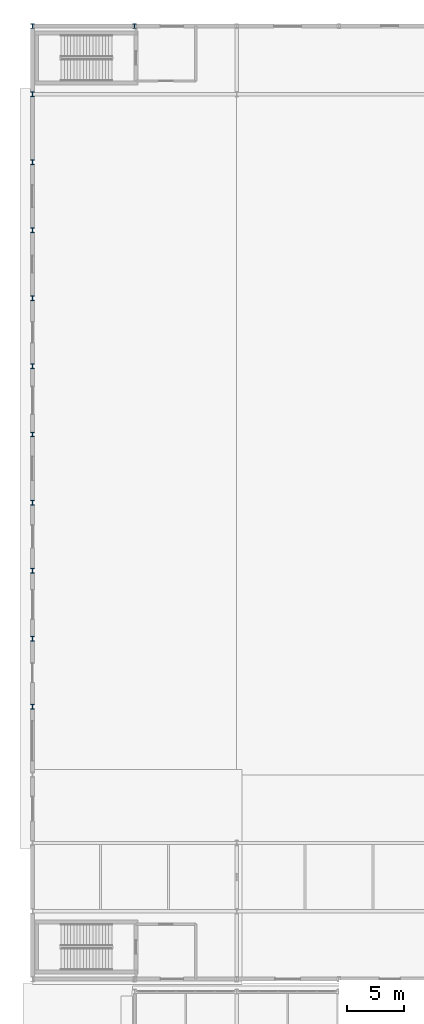
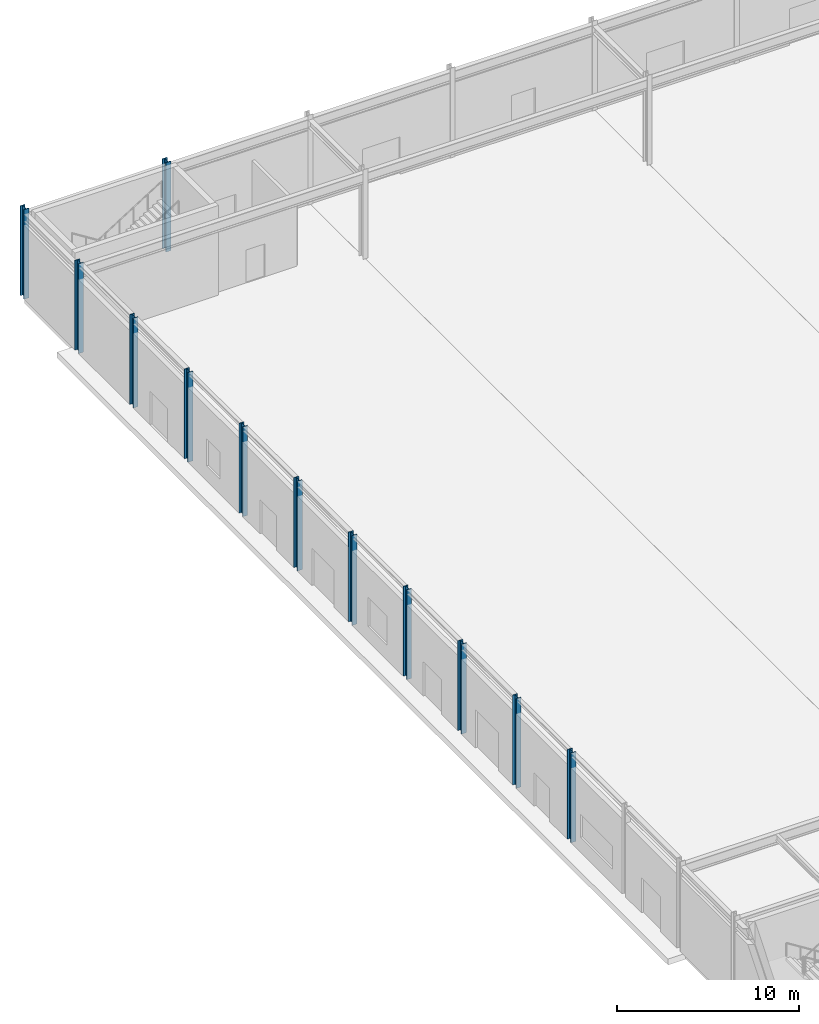
# One storey, part 9 of 146: 12 columns.
"""IFC4 building model written with IfcOpenShell, lengths in metres."""

from ifc_helpers import new_model, si_unit, direction, frame, origin, origin_2d, place, context, subcontext, project, spatial, i_section, extrude, material, material_profile, profile_set, type_object, element, save


model = new_model("IFC4")

# Units and contexts
model_context = context("Model", 3, precision=1e-05, world=origin(), true_north=direction((0.0, 1.0)))
body_context = subcontext(model_context, "Body", "Model", "MODEL_VIEW")
ifc_project = project(units=[si_unit("LENGTHUNIT", "METRE"), si_unit("AREAUNIT", "SQUARE_METRE"), si_unit("VOLUMEUNIT", "CUBIC_METRE"), si_unit("PLANEANGLEUNIT", "RADIAN"), si_unit("MASSUNIT", "GRAM", prefix="KILO")], contexts=[model_context])

# Site, building, storey
site_placement = place(None, origin())
site = spatial("IfcSite", under=ifc_project, at=site_placement, CompositionType="ELEMENT")
building_placement = place(site_placement, origin())
building = spatial("IfcBuilding", under=site, at=building_placement, Name="Kaldris Quays Convention Centre", CompositionType="ELEMENT")
storey_placement = place(building_placement, origin())
storey = spatial("IfcBuildingStorey", under=building, at=storey_placement, Name="L00", CompositionType="ELEMENT", Elevation=0.0)

# Columns
ifc_material = material(Name="Steel S460ML", Category="steel")
ifc_material_profile = material_profile(ifc_material, i_section(OverallWidth=0.306884765625, OverallDepth=0.431884765625, WebThickness=0.02099609375, FlangeThickness=0.0400390625, FilletRadius=0.027099609375, at=origin_2d()), Name="HEM 400")
ifc_profile_set = profile_set([ifc_material_profile], Name="Steel S460ML")
column_type = type_object("IfcColumnType", Name="STRUCTURAL COLUMN CL01", PredefinedType="COLUMN", material=ifc_profile_set)
for number, where, z_axis, x_axis, name in (
    (1, (20.0, 80.0, 0.0), (0.0, 0.0, 1.0), (1.0, 0.0, 0.0), "L00 V1 Column CL01 (20.00, 80.00)"),
    (2, (20.0, 86.0, 0.0), (0.0, 0.0, 1.0), (1.0, 0.0, 0.0), "L00 V1 Column CL01 (20.00, 86.00)"),
    (3, (20.0, 92.0, 0.0), (0.0, 0.0, 1.0), (1.0, 0.0, 0.0), "L00 V1 Column CL01 (20.00, 92.00)"),
    (4, (20.0, 98.0, 0.0), (0.0, 0.0, 1.0), (1.0, 0.0, 0.0), "L00 V1 Column CL01 (20.00, 98.00)"),
    (5, (20.0, 104.0, 0.0), (0.0, 0.0, 1.0), (1.0, 0.0, 0.0), "L00 V1 Column CL01 (20.00, 104.00)"),
    (6, (20.0, 110.0, 0.0), (0.0, 0.0, 1.0), (1.0, 0.0, 0.0), "L00 V1 Column CL01 (20.00, 110.00)"),
    (7, (20.0, 116.0, 0.0), (0.0, 0.0, 1.0), (1.0, 0.0, 0.0), "L00 V1 Column CL01 (20.00, 116.00)"),
    (8, (20.0, 122.0, 0.0), (0.0, 0.0, 1.0), (1.0, 0.0, 0.0), "L00 V1 Column CL01 (20.00, 122.00)"),
    (9, (20.0, 128.0, 0.0), (0.0, 0.0, 1.0), (1.0, 0.0, 0.0), "L00 V1 Column CL01 (20.00, 128.00)"),
    (10, (20.0, 134.0, 0.0), (0.0, 0.0, 1.0), (1.0, 0.0, 0.0), "L00 V1 Column CL01 (20.00, 134.00)"),
    (11, (20.0, 140.0, 0.0), (0.0, 0.0, 1.0), (1.0, 0.0, 0.0), "L00 V1 Column CL01 (20.00, 140.00)"),
    (12, (29.0, 140.0, 0.0), (0.0, 0.0, 1.0), (1.0, 0.0, 0.0), "L00 V1 Column CL01 (29.00, 140.00)"),
):
    element("IfcColumn", number, at=place(storey_placement, frame(where, z_axis=z_axis, x_axis=x_axis)), inside=storey, type_object=column_type, Name=name, PredefinedType="COLUMN", context=body_context, shape_type="SweptSolid", body=[
        extrude(i_section(OverallWidth=0.306884765625, OverallDepth=0.431884765625, WebThickness=0.02099609375, FlangeThickness=0.0400390625, FilletRadius=0.027099609375, at=origin_2d()), origin(), (0.0, 0.0, 1.0), 6.0),
    ])

save(model, "model.ifc")
